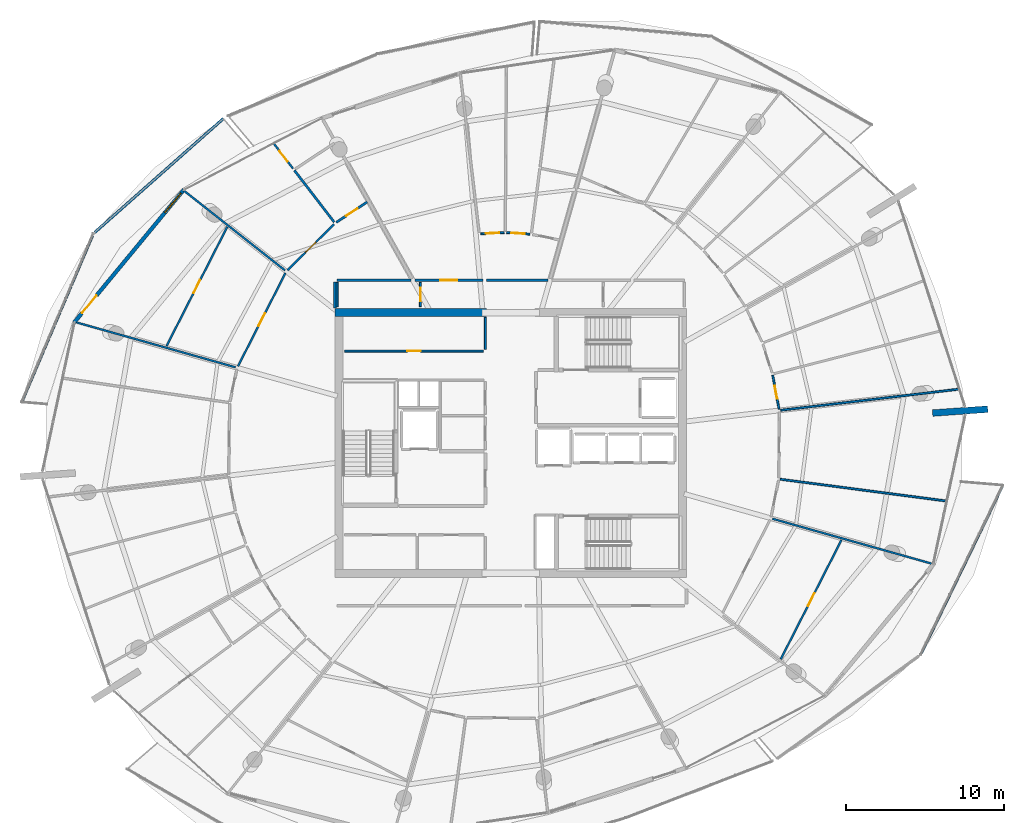
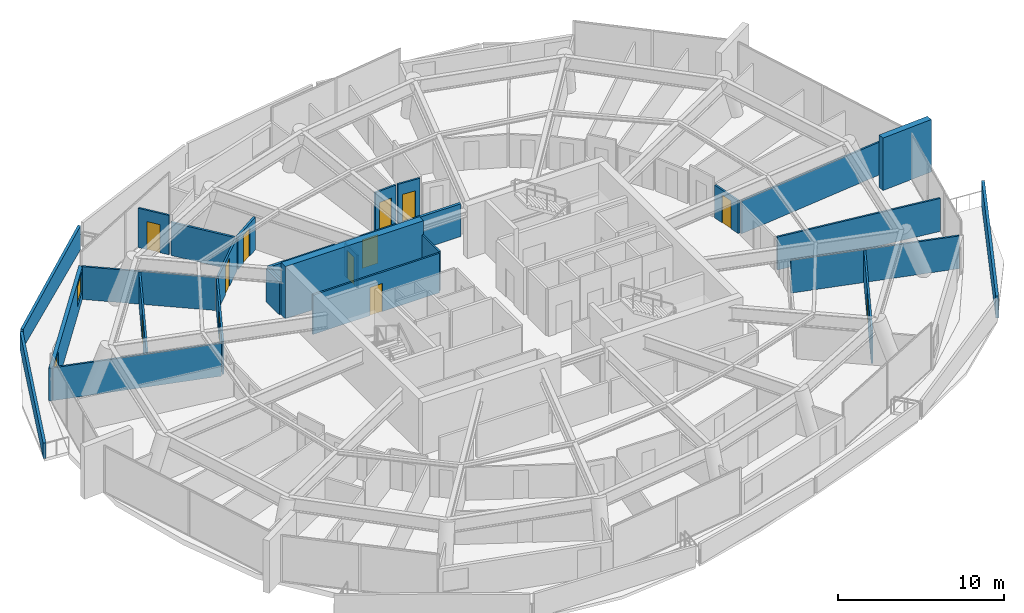
# One storey, part 19 of 27: 29 walls, 13 doors, 1 window, 14 openings.
"""IFC4 building model written with IfcOpenShell, lengths in metres."""

from ifc_helpers import new_model, si_unit, direction, frame, frame_2d, origin, place, context, subcontext, project, spatial, polyline, rectangle, outline, extrude, material, layer, layer_set, type_object, element, fill, save


model = new_model("IFC4")

# Units and contexts
model_context = context("Model", 3, precision=1e-05, world=origin(), true_north=direction((0.0, 1.0)))
body_context = subcontext(model_context, "Body", "Model", "MODEL_VIEW")
ifc_project = project(units=[si_unit("LENGTHUNIT", "METRE"), si_unit("AREAUNIT", "SQUARE_METRE"), si_unit("VOLUMEUNIT", "CUBIC_METRE"), si_unit("PLANEANGLEUNIT", "RADIAN"), si_unit("MASSUNIT", "GRAM", prefix="KILO")], contexts=[model_context])

# Site, building, storey
site_placement = place(None, origin())
site = spatial("IfcSite", under=ifc_project, at=site_placement, CompositionType="ELEMENT")
building_placement = place(site_placement, origin())
building = spatial("IfcBuilding", under=site, at=building_placement, Name="Kazma Halo Residences", CompositionType="ELEMENT")
storey_placement = place(building_placement, frame((0.0, 0.0, 306.0)))
storey = spatial("IfcBuildingStorey", under=building, at=storey_placement, Name="L77", CompositionType="ELEMENT", Elevation=306.0)

# Walls
ifc_material_1 = material(Name="White Concrete C50/60 Balustrade", Category="concrete")
ifc_layer_1 = layer(ifc_material_1, 0.179931640625)
ifc_layer_set_1 = layer_set([ifc_layer_1], Name="White Concrete C50/60 Balustrade")
wall_type_1 = type_object("IfcWallType", Name="WL-BAL-WAVE-180", PredefinedType="PARAPET", material=ifc_layer_set_1)
wall_1_placement = place(storey_placement, frame((30.241455078125, 62.537109375, 0.0), z_axis=(0.0, 0.0, 1.0), x_axis=(-0.748953310354, -0.662622772707, 0.0)))
element("IfcWall", 1, at=wall_1_placement, inside=storey, type_object=wall_type_1, Name="L77 white wave balustrade wall NW.1", PredefinedType="PARAPET", context=body_context, shape_type="SweptSolid", body=[
    extrude(outline(polyline([(0.0, 0.0), (10.882080078125, 0.0), (10.882080078125, 1.347900390625), (5.441162109375, 1.56201171875), (0.0, 1.7470703125), (0.0, 0.0)])), frame((0.0, 0.08984375, 0.0), z_axis=(0.0, -1.0, 0.0), x_axis=(1.0, 0.0, 0.0)), (0.0, 0.0, 1.0), 0.179931640625),
])
wall_2_placement = place(storey_placement, frame((21.954345703125, 55.13671875, 0.0), z_axis=(0.0, 0.0, 1.0), x_axis=(-0.391228155608, -0.920293719559, 0.0)))
element("IfcWall", 2, at=wall_2_placement, inside=storey, type_object=wall_type_1, Name="L77 white wave balustrade wall NW.2", PredefinedType="PARAPET", context=body_context, shape_type="SweptSolid", body=[
    extrude(outline(polyline([(0.0, 0.0), (11.459716796875, 0.0), (11.459716796875, 1.1201171875), (5.729736328125, 1.181884765625), (0.0, 1.347900390625), (0.0, 0.0)])), frame((0.0, 0.08984375, 0.0), z_axis=(0.0, -1.0, 0.0), x_axis=(1.0, 0.0, 0.0)), (0.0, 0.0, 1.0), 0.179931640625),
])
wall_3_placement = place(storey_placement, frame((74.40576171875, 28.680419921875, 0.0), z_axis=(0.0, 0.0, 1.0), x_axis=(0.436271986989, 0.899814843936, 0.0)))
element("IfcWall", 3, at=wall_3_placement, inside=storey, type_object=wall_type_1, Name="L77 white wave balustrade wall SE.2", PredefinedType="PARAPET", context=body_context, shape_type="SweptSolid", body=[
    extrude(outline(polyline([(0.0, 0.0), (11.826171875, 0.0), (11.826171875, 1.860107421875), (5.9130859375, 1.798095703125), (0.0, 1.632080078125), (0.0, 0.0)])), frame((0.0, 0.08984375, 0.0), z_axis=(0.0, -1.0, 0.0), x_axis=(1.0, 0.0, 0.0)), (0.0, 0.0, 1.0), 0.179931640625),
])
ifc_material_2 = material(Name="Pale Concrete C60/75", Category="concrete")
ifc_layer_2 = layer(ifc_material_2, 0.419921875)
ifc_layer_set_2 = layer_set([ifc_layer_2], Name="Pale Concrete C60/75")
wall_type_2 = type_object("IfcWallType", Name="WL-BLADE-420", PredefinedType="SOLIDWALL", material=ifc_layer_set_2)
wall_4_placement = place(storey_placement, frame((75.128173828125, 43.89697265625, 0.0), z_axis=(0.0, 0.0, 1.0), x_axis=(0.997564163539, 0.069754853754, 0.0)))
element("IfcWall", 4, at=wall_4_placement, inside=storey, type_object=wall_type_2, Name="L77 pale concrete structural blade fin wall BW-04", PredefinedType="SOLIDWALL", context=body_context, shape_type="SweptSolid", body=[
    extrude(rectangle(XDim=3.5, YDim=0.419921875, at=frame_2d((1.75, 0.0))), origin(), (0.0, 0.0, 1.0), 3.85009765625),
])
ifc_material_3 = material(Name="Concrete C60/75", Category="concrete")
ifc_layer_3 = layer(ifc_material_3, 0.5)
ifc_layer_set_3 = layer_set([ifc_layer_3], Name="Concrete C60/75")
wall_type_3 = type_object("IfcWallType", Name="WL-CORE-500", PredefinedType="SHEAR", material=ifc_layer_set_3)
wall_5_placement = place(storey_placement, frame((37.300048828125, 50.25, 0.0), z_axis=(0.0, 0.0, 1.0), x_axis=(1.0, 0.0, 0.0)))
element("IfcWall", 5, at=wall_5_placement, inside=storey, type_object=wall_type_3, Name="L77 central core shear wall NW", PredefinedType="SHEAR", context=body_context, shape_type="SweptSolid", body=[
    extrude(rectangle(XDim=9.599853515625, YDim=0.5, at=frame_2d((4.7998046875, 0.0))), origin(), (0.0, 0.0, 1.0), 3.85009765625),
])

# Wall, opening, door
ifc_material_4 = material(Name="Acoustic Twin-Stud Gypsum")
ifc_layer_4 = layer(ifc_material_4, 0.179931640625)
ifc_layer_set_4 = layer_set([ifc_layer_4], Name="Acoustic Twin-Stud Gypsum")
wall_type_4 = type_object("IfcWallType", Name="WL-DEM-180", PredefinedType="PARTITIONING", material=ifc_layer_set_4)
wall_6_placement = place(storey_placement, frame((46.660888671875, 52.300048828125, 0.0), z_axis=(0.0, 0.0, 1.0), x_axis=(-1.0, 0.0, 0.0)))
wall_6 = element("IfcWall", 6, at=wall_6_placement, inside=storey, type_object=wall_type_4, Name="L77 Apartment 1 entrance corridor wall", PredefinedType="PARTITIONING", context=body_context, shape_type="SweptSolid", body=[
    extrude(rectangle(XDim=4.30908203125, YDim=0.179931640625, at=frame_2d((2.154541015625, 0.0))), origin(), (0.0, 0.0, 1.0), 2.406982421875),
])
opening_1_placement = place(wall_6_placement, frame((1.6044921875, 0.0, 0.0)))
opening_1 = element("IfcOpeningElement", 7, at=opening_1_placement, cuts=wall_6, Name="Opening DA-1100", PredefinedType="OPENING", context=body_context, shape_type="SweptSolid", body=[
    extrude(rectangle(XDim=1.10009765625, YDim=2.10009765625, at=frame_2d((0.550048828125, 1.050048828125))), frame((0.0, 0.099853515625, 0.0), z_axis=(0.0, -1.0, 0.0), x_axis=(1.0, 0.0, 0.0)), (0.0, 0.0, 1.0), 0.199951171875),
])
ifc_material_5 = material(Name="Acoustic Walnut Fire Leaf")
door_type_1 = type_object("IfcDoorType", Name="DR-FD60-1100", OperationType="NOTDEFINED", PredefinedType="DOOR", material=ifc_material_5)
door_1_placement = place(opening_1_placement, origin())
door_1 = element("IfcDoor", 8, at=door_1_placement, inside=storey, type_object=door_type_1, Name="L77 Apartment 1 entrance fire door", OperationType="SINGLE_SWING_LEFT", OverallHeight=2.10009765625, OverallWidth=1.10009765625, PredefinedType="DOOR", context=body_context, shape_type="SweptSolid", body=[
    extrude(rectangle(XDim=1.10009765625, YDim=2.10009765625, at=frame_2d((0.550048828125, 1.050048828125))), frame((0.0, 0.02490234375, 0.0), z_axis=(0.0, -1.0, 0.0), x_axis=(1.0, 0.0, 0.0)), (0.0, 0.0, 1.0), 0.050048828125),
])
fill(opening_1, door_1)

# Walls
wall_7_placement = place(storey_placement, frame((50.784912109375, 52.300048828125, 0.0), z_axis=(0.0, 0.0, 1.0), x_axis=(-1.0, 0.0, 0.0)))
element("IfcWall", 9, at=wall_7_placement, inside=storey, type_object=wall_type_4, Name="L77 Apartment 1 inner wall 2", PredefinedType="PARTITIONING", context=body_context, shape_type="SweptSolid", body=[
    extrude(rectangle(XDim=3.884033203125, YDim=0.179931640625, at=frame_2d((1.94189453125, 0.0))), origin(), (0.0, 0.0, 1.0), 2.406982421875),
])
wall_8_placement = place(storey_placement, frame((42.11181640625, 52.300048828125, 0.0), z_axis=(0.0, 0.0, 1.0), x_axis=(-1.0, 0.0, 0.0)))
element("IfcWall", 10, at=wall_8_placement, inside=storey, type_object=wall_type_4, Name="L77 Apartment 2 inner wall 4", PredefinedType="PARTITIONING", context=body_context, shape_type="SweptSolid", body=[
    extrude(rectangle(XDim=4.69189453125, YDim=0.179931640625, at=frame_2d((2.345947265625, 0.0))), origin(), (0.0, 0.0, 1.0), 2.406982421875),
])
wall_9_placement = place(storey_placement, frame((37.300048828125, 52.179931640625, 0.0), z_axis=(0.0, 0.0, 1.0), x_axis=(0.0, -1.0, 0.0)))
element("IfcWall", 11, at=wall_9_placement, inside=storey, type_object=wall_type_4, Name="L77 Apartment 2 inner wall 4", PredefinedType="PARTITIONING", context=body_context, shape_type="SweptSolid", body=[
    extrude(rectangle(XDim=1.624755859375, YDim=0.179931640625, at=frame_2d((0.8125, 0.0))), origin(), (0.0, 0.0, 1.0), 2.406982421875),
])

# Wall, openings, door, window
ifc_material_6 = material(Name="Insulated Pale-Metal Composite Wall")
ifc_layer_5 = layer(ifc_material_6, 0.239990234375)
ifc_layer_set_5 = layer_set([ifc_layer_5], Name="Insulated Pale-Metal Composite Wall")
wall_type_5 = type_object("IfcWallType", Name="WL-EXT-HOST-240", PredefinedType="SOLIDWALL", material=ifc_layer_set_5)
wall_10_placement = place(storey_placement, frame((27.739501953125, 58.035888671875, 0.0), z_axis=(0.0, 0.0, 1.0), x_axis=(-0.636725835274, -0.771090274024, 0.0)))
wall_10 = element("IfcWall", 12, at=wall_10_placement, inside=storey, type_object=wall_type_5, Name="L77 exterior terrace-access wall B06", PredefinedType="SOLIDWALL", context=body_context, shape_type="SweptSolid", body=[
    extrude(rectangle(XDim=10.907470703125, YDim=0.239990234375, at=frame_2d((5.45361328125, 0.0))), origin(), (0.0, 0.0, 1.0), 2.39990234375),
])
opening_2_placement = place(wall_10_placement, frame((8.687255859375, 0.0, 0.0)))
opening_2 = element("IfcOpeningElement", 13, at=opening_2_placement, cuts=wall_10, Name="Opening DTR-1600", PredefinedType="OPENING", context=body_context, shape_type="SweptSolid", body=[
    extrude(rectangle(XDim=1.449951171875, YDim=2.14990234375, at=frame_2d((0.72509765625, 1.074951171875))), frame((0.0, 0.1298828125, 0.0), z_axis=(0.0, -1.0, 0.0), x_axis=(1.0, 0.0, 0.0)), (0.0, 0.0, 1.0), 0.260009765625),
])
opening_3_placement = place(wall_10_placement, frame((0.280029296875, 0.0, 0.64990234375)))
opening_3 = element("IfcOpeningElement", 14, at=opening_3_placement, cuts=wall_10, Name="Opening W-1800", PredefinedType="OPENING", context=body_context, shape_type="SweptSolid", body=[
    extrude(rectangle(XDim=1.60009765625, YDim=1.5, at=frame_2d((0.800048828125, 0.75))), frame((0.0, 0.1298828125, 0.0), z_axis=(0.0, -1.0, 0.0), x_axis=(1.0, 0.0, 0.0)), (0.0, 0.0, 1.0), 0.260009765625),
])
ifc_material_7 = material(Name="Aluminium AW-6063 T6 Double-Glazed Terrace Door", Category="aluminium")
door_type_2 = type_object("IfcDoorType", Name="DR-EXT-TERR-1600", OperationType="NOTDEFINED", PredefinedType="DOOR", material=ifc_material_7)
door_2_placement = place(opening_2_placement, origin())
door_2 = element("IfcDoor", 15, at=door_2_placement, inside=storey, type_object=door_type_2, Name="L77 B06 balcony terrace door", OperationType="DOUBLE_DOOR_SLIDING", OverallHeight=2.14990234375, OverallWidth=1.449951171875, PredefinedType="DOOR", context=body_context, shape_type="SweptSolid", body=[
    extrude(rectangle(XDim=1.449951171875, YDim=2.14990234375, at=frame_2d((0.72509765625, 1.074951171875))), frame((0.0, 0.02490234375, 0.0), z_axis=(0.0, -1.0, 0.0), x_axis=(1.0, 0.0, 0.0)), (0.0, 0.0, 1.0), 0.050048828125),
])
fill(opening_2, door_2)
ifc_material_8 = material(Name="Clear Triple-Silver Low-E Glass in Aluminium AW-6063 T6 Frame", Category="aluminium")
window_type = type_object("IfcWindowType", Name="WIN-RES-1800", PartitioningType="DOUBLE_PANEL_VERTICAL", PredefinedType="WINDOW", material=ifc_material_8)
window_placement = place(opening_3_placement, origin())
window = element("IfcWindow", 16, at=window_placement, inside=storey, type_object=window_type, Name="L77 B06 apartment window", OverallHeight=1.5, OverallWidth=1.60009765625, PartitioningType="SINGLE_PANEL", PredefinedType="WINDOW", context=body_context, shape_type="SweptSolid", body=[
    extrude(rectangle(XDim=1.60009765625, YDim=1.5, at=frame_2d((0.800048828125, 0.75))), frame((0.0, 0.030029296875, 0.0), z_axis=(0.0, -1.0, 0.0), x_axis=(1.0, 0.0, 0.0)), (0.0, 0.0, 1.0), 0.06005859375),
])
fill(opening_3, window)

# Wall
ifc_material_9 = material(Name="Gypsum Plasterboard Partition")
ifc_layer_6 = layer(ifc_material_9, 0.125)
ifc_layer_set_6 = layer_set([ifc_layer_6], Name="Gypsum Plasterboard Partition")
wall_type_6 = type_object("IfcWallType", Name="WL-PART-125", PredefinedType="PARTITIONING", material=ifc_layer_set_6)
wall_11_placement = place(storey_placement, frame((46.820068359375, 47.919921875, 0.0), z_axis=(0.0, 0.0, 1.0), x_axis=(0.0, 1.0, 0.0)))
element("IfcWall", 17, at=wall_11_placement, inside=storey, type_object=wall_type_6, Name="L77 reclaimed north east wall", PredefinedType="PARTITIONING", context=body_context, shape_type="SweptSolid", body=[
    extrude(rectangle(XDim=2.030029296875, YDim=0.125, at=frame_2d((1.01513671875, 0.0))), origin(), (0.0, 0.0, 1.0), 2.889892578125),
])

# Wall, opening, door
wall_12_placement = place(storey_placement, frame((37.919921875, 47.820068359375, 0.0), z_axis=(0.0, 0.0, 1.0), x_axis=(1.0, 0.0, 0.0)))
wall_12 = element("IfcWall", 18, at=wall_12_placement, inside=storey, type_object=wall_type_6, Name="L77 reclaimed north front wall", PredefinedType="PARTITIONING", context=body_context, shape_type="SweptSolid", body=[
    extrude(rectangle(XDim=8.780029296875, YDim=0.125, at=frame_2d((4.39013671875, 0.0))), origin(), (0.0, 0.0, 1.0), 2.889892578125),
])
opening_4_placement = place(wall_12_placement, frame((3.965087890625, 0.0, 0.0)))
opening_4 = element("IfcOpeningElement", 19, at=opening_4_placement, cuts=wall_12, Name="Opening DS-850", PredefinedType="OPENING", context=body_context, shape_type="SweptSolid", body=[
    extrude(rectangle(XDim=0.85009765625, YDim=2.06005859375, at=frame_2d((0.425048828125, 1.030029296875))), frame((0.0, 0.072509765625, 0.0), z_axis=(0.0, -1.0, 0.0), x_axis=(1.0, 0.0, 0.0)), (0.0, 0.0, 1.0), 0.14501953125),
])
ifc_material_10 = material(Name="Painted Steel Access Leaf", Category="steel")
door_type_3 = type_object("IfcDoorType", Name="DR-SVC-850", OperationType="NOTDEFINED", PredefinedType="DOOR", material=ifc_material_10)
door_3_placement = place(opening_4_placement, origin())
door_3 = element("IfcDoor", 20, at=door_3_placement, inside=storey, type_object=door_type_3, Name="L77 reclaimed north service door", OperationType="SINGLE_SWING_RIGHT", OverallHeight=2.06005859375, OverallWidth=0.85009765625, PredefinedType="DOOR", context=body_context, shape_type="SweptSolid", body=[
    extrude(rectangle(XDim=0.85009765625, YDim=2.06005859375, at=frame_2d((0.425048828125, 1.030029296875))), frame((0.0, 0.02490234375, 0.0), z_axis=(0.0, -1.0, 0.0), x_axis=(1.0, 0.0, 0.0)), (0.0, 0.0, 1.0), 0.050048828125),
])
fill(opening_4, door_3)

# Wall
wall_13_placement = place(storey_placement, frame((37.43994140625, 50.6201171875, 0.0), z_axis=(0.0, 0.0, 1.0), x_axis=(0.0, 1.0, 0.0)))
element("IfcWall", 21, at=wall_13_placement, inside=storey, type_object=wall_type_6, Name="L77 west linen end wall", PredefinedType="PARTITIONING", context=body_context, shape_type="SweptSolid", body=[
    extrude(rectangle(XDim=1.539794921875, YDim=0.125, at=frame_2d((0.77001953125, 0.0))), origin(), (0.0, 0.0, 1.0), 2.406982421875),
])

# Wall, opening, door
wall_14_placement = place(storey_placement, frame((42.7099609375, 50.639892578125, 0.0), z_axis=(0.0, 0.0, 1.0), x_axis=(0.0, 1.0, 0.0)))
wall_14 = element("IfcWall", 22, at=wall_14_placement, inside=storey, type_object=wall_type_6, Name="L77 floor linen store door wall", PredefinedType="PARTITIONING", context=body_context, shape_type="SweptSolid", body=[
    extrude(rectangle(XDim=1.52001953125, YDim=0.125, at=frame_2d((0.760009765625, 0.0))), origin(), (0.0, 0.0, 1.0), 2.406982421875),
])
opening_5_placement = place(wall_14_placement, frame((0.3349609375, 0.0, 0.0)))
opening_5 = element("IfcOpeningElement", 23, at=opening_5_placement, cuts=wall_14, Name="Opening DS-850", PredefinedType="OPENING", context=body_context, shape_type="SweptSolid", body=[
    extrude(rectangle(XDim=0.85009765625, YDim=2.06005859375, at=frame_2d((0.425048828125, 1.030029296875))), frame((0.0, 0.072509765625, 0.0), z_axis=(0.0, -1.0, 0.0), x_axis=(1.0, 0.0, 0.0)), (0.0, 0.0, 1.0), 0.14501953125),
])
door_4_placement = place(opening_5_placement, origin())
door_4 = element("IfcDoor", 24, at=door_4_placement, inside=storey, type_object=door_type_3, Name="L77 floor linen store door", OperationType="SINGLE_SWING_RIGHT", OverallHeight=2.06005859375, OverallWidth=0.85009765625, PredefinedType="DOOR", context=body_context, shape_type="SweptSolid", body=[
    extrude(rectangle(XDim=0.85009765625, YDim=2.06005859375, at=frame_2d((0.425048828125, 1.030029296875))), frame((0.0, 0.02490234375, 0.0), z_axis=(0.0, -1.0, 0.0), x_axis=(1.0, 0.0, 0.0)), (0.0, 0.0, 1.0), 0.050048828125),
])
fill(opening_5, door_4)

wall_15_placement = place(storey_placement, frame((49.637451171875, 55.21875, 0.0), z_axis=(0.0, 0.0, 1.0), x_axis=(-0.997687761927, 0.067964179549, 0.0)))
wall_15 = element("IfcWall", 25, at=wall_15_placement, inside=storey, type_object=wall_type_6, Name="L77 Apartment 1 Gourmet Kitchen hall wall", PredefinedType="PARTITIONING", context=body_context, shape_type="SweptSolid", body=[
    extrude(rectangle(XDim=1.47998046875, YDim=0.125, at=frame_2d((0.739990234375, 0.0))), origin(), (0.0, 0.0, 1.0), 2.889892578125),
])
opening_6_placement = place(wall_15_placement, frame((0.31494140625, 0.0, 0.0)))
opening_6 = element("IfcOpeningElement", 26, at=opening_6_placement, cuts=wall_15, Name="Opening DB-900", PredefinedType="OPENING", context=body_context, shape_type="SweptSolid", body=[
    extrude(rectangle(XDim=0.85009765625, YDim=2.06005859375, at=frame_2d((0.425048828125, 1.030029296875))), frame((0.0, 0.072509765625, 0.0), z_axis=(0.0, -1.0, 0.0), x_axis=(1.0, 0.0, 0.0)), (0.0, 0.0, 1.0), 0.14501953125),
])
ifc_material_11 = material(Name="Moisture-Sealed Timber Leaf", Category="wood")
door_type_4 = type_object("IfcDoorType", Name="DR-BTH-900", OperationType="NOTDEFINED", PredefinedType="DOOR", material=ifc_material_11)
door_5_placement = place(opening_6_placement, origin())
door_5 = element("IfcDoor", 27, at=door_5_placement, inside=storey, type_object=door_type_4, Name="L77 Apartment 1 Gourmet Kitchen door", OperationType="SINGLE_SWING_RIGHT", OverallHeight=2.06005859375, OverallWidth=0.85009765625, PredefinedType="DOOR", context=body_context, shape_type="SweptSolid", body=[
    extrude(rectangle(XDim=0.85009765625, YDim=2.06005859375, at=frame_2d((0.425048828125, 1.030029296875))), frame((0.0, 0.02490234375, 0.0), z_axis=(0.0, -1.0, 0.0), x_axis=(1.0, 0.0, 0.0)), (0.0, 0.0, 1.0), 0.050048828125),
])
fill(opening_6, door_5)

wall_16_placement = place(storey_placement, frame((48.001220703125, 55.3203125, 0.0), z_axis=(0.0, 0.0, 1.0), x_axis=(-0.998441385069, -0.0558103985, 0.0)))
wall_16 = element("IfcWall", 28, at=wall_16_placement, inside=storey, type_object=wall_type_6, Name="L77 Apartment 1 Primary Bedroom hall wall", PredefinedType="PARTITIONING", context=body_context, shape_type="SweptSolid", body=[
    extrude(rectangle(XDim=1.4697265625, YDim=0.125, at=frame_2d((0.73486328125, 0.0))), origin(), (0.0, 0.0, 1.0), 2.889892578125),
])
opening_7_placement = place(wall_16_placement, frame((0.309814453125, 0.0, 0.0)))
opening_7 = element("IfcOpeningElement", 29, at=opening_7_placement, cuts=wall_16, Name="Opening DB-900", PredefinedType="OPENING", context=body_context, shape_type="SweptSolid", body=[
    extrude(rectangle(XDim=0.85009765625, YDim=2.06005859375, at=frame_2d((0.425048828125, 1.030029296875))), frame((0.0, 0.072509765625, 0.0), z_axis=(0.0, -1.0, 0.0), x_axis=(1.0, 0.0, 0.0)), (0.0, 0.0, 1.0), 0.14501953125),
])
door_6_placement = place(opening_7_placement, origin())
door_6 = element("IfcDoor", 30, at=door_6_placement, inside=storey, type_object=door_type_4, Name="L77 Apartment 1 Primary Bedroom door", OperationType="SINGLE_SWING_LEFT", OverallHeight=2.06005859375, OverallWidth=0.85009765625, PredefinedType="DOOR", context=body_context, shape_type="SweptSolid", body=[
    extrude(rectangle(XDim=0.85009765625, YDim=2.06005859375, at=frame_2d((0.425048828125, 1.030029296875))), frame((0.0, 0.02490234375, 0.0), z_axis=(0.0, -1.0, 0.0), x_axis=(1.0, 0.0, 0.0)), (0.0, 0.0, 1.0), 0.050048828125),
])
fill(opening_7, door_6)

wall_17_placement = place(storey_placement, frame((34.652099609375, 59.3623046875, 0.0), z_axis=(0.0, 0.0, 1.0), x_axis=(-0.609450605146, 0.792824040937, 0.0)))
wall_17 = element("IfcWall", 31, at=wall_17_placement, inside=storey, type_object=wall_type_6, Name="L77 Apartment 2 Household Store Room partition wall", PredefinedType="PARTITIONING", context=body_context, shape_type="SweptSolid", body=[
    extrude(rectangle(XDim=1.995849609375, YDim=0.125, at=frame_2d((0.998046875, 0.0))), origin(), (0.0, 0.0, 1.0), 2.889892578125),
])
opening_8_placement = place(wall_17_placement, frame((0.572998046875, 0.0, 0.0)))
opening_8 = element("IfcOpeningElement", 32, at=opening_8_placement, cuts=wall_17, Name="Opening DB-900", PredefinedType="OPENING", context=body_context, shape_type="SweptSolid", body=[
    extrude(rectangle(XDim=0.85009765625, YDim=2.06005859375, at=frame_2d((0.425048828125, 1.030029296875))), frame((0.0, 0.072509765625, 0.0), z_axis=(0.0, -1.0, 0.0), x_axis=(1.0, 0.0, 0.0)), (0.0, 0.0, 1.0), 0.14501953125),
])
door_7_placement = place(opening_8_placement, origin())
door_7 = element("IfcDoor", 33, at=door_7_placement, inside=storey, type_object=door_type_4, Name="L77 Apartment 2 Household Store Room door", OperationType="SINGLE_SWING_LEFT", OverallHeight=2.06005859375, OverallWidth=0.85009765625, PredefinedType="DOOR", context=body_context, shape_type="SweptSolid", body=[
    extrude(rectangle(XDim=0.85009765625, YDim=2.06005859375, at=frame_2d((0.425048828125, 1.030029296875))), frame((0.0, 0.02490234375, 0.0), z_axis=(0.0, -1.0, 0.0), x_axis=(1.0, 0.0, 0.0)), (0.0, 0.0, 1.0), 0.050048828125),
])
fill(opening_8, door_7)

wall_18_placement = place(storey_placement, frame((37.241943359375, 55.84716796875, 0.0), z_axis=(0.0, 0.0, 1.0), x_axis=(-0.711391624602, -0.702795814192, 0.0)))
wall_18 = element("IfcWall", 34, at=wall_18_placement, inside=storey, type_object=wall_type_6, Name="L77 Apartment 2 Gourmet Kitchen hall wall", PredefinedType="PARTITIONING", context=body_context, shape_type="SweptSolid", body=[
    extrude(rectangle(XDim=4.146728515625, YDim=0.125, at=frame_2d((2.0732421875, 0.0))), origin(), (0.0, 0.0, 1.0), 2.406982421875),
])
opening_9_placement = place(wall_18_placement, frame((1.623291015625, 0.0, 0.0)))
opening_9 = element("IfcOpeningElement", 35, at=opening_9_placement, cuts=wall_18, Name="Opening DI-950", PredefinedType="OPENING", context=body_context, shape_type="SweptSolid", body=[
    extrude(rectangle(XDim=0.89990234375, YDim=2.080078125, at=frame_2d((0.449951171875, 1.0400390625))), frame((0.0, 0.072509765625, 0.0), z_axis=(0.0, -1.0, 0.0), x_axis=(1.0, 0.0, 0.0)), (0.0, 0.0, 1.0), 0.14501953125),
])
ifc_material_12 = material(Name="Timber Veneer Flush Leaf", Category="wood")
door_type_5 = type_object("IfcDoorType", Name="DR-INT-950", OperationType="NOTDEFINED", PredefinedType="DOOR", material=ifc_material_12)
door_8_placement = place(opening_9_placement, origin())
door_8 = element("IfcDoor", 36, at=door_8_placement, inside=storey, type_object=door_type_5, Name="L77 Apartment 2 Gourmet Kitchen door", OperationType="SINGLE_SWING_RIGHT", OverallHeight=2.080078125, OverallWidth=0.89990234375, PredefinedType="DOOR", context=body_context, shape_type="SweptSolid", body=[
    extrude(rectangle(XDim=0.89990234375, YDim=2.080078125, at=frame_2d((0.449951171875, 1.0400390625))), frame((0.0, 0.02490234375, 0.0), z_axis=(0.0, -1.0, 0.0), x_axis=(1.0, 0.0, 0.0)), (0.0, 0.0, 1.0), 0.050048828125),
])
fill(opening_9, door_8)

# Wall
wall_19_placement = place(storey_placement, frame((34.142333984375, 52.924560546875, 0.0), z_axis=(0.0, 0.0, 1.0), x_axis=(-0.785321699218, 0.619087900655, 0.0)))
element("IfcWall", 37, at=wall_19_placement, inside=storey, type_object=wall_type_6, Name="L77 Apartment 2 radial partition 5", PredefinedType="PARTITIONING", context=body_context, shape_type="SweptSolid", body=[
    extrude(rectangle(XDim=8.168701171875, YDim=0.125, at=frame_2d((4.08447265625, 0.0))), origin(), (0.0, 0.0, 1.0), 2.406982421875),
])

# Wall, opening, door
wall_20_placement = place(storey_placement, frame((34.1708984375, 52.7646484375, 0.0), z_axis=(0.0, 0.0, 1.0), x_axis=(-0.453994771894, -0.891004347404, 0.0)))
wall_20 = element("IfcWall", 38, at=wall_20_placement, inside=storey, type_object=wall_type_6, Name="L77 Apartment 2 East Study hall wall", PredefinedType="PARTITIONING", context=body_context, shape_type="SweptSolid", body=[
    extrude(rectangle(XDim=6.626220703125, YDim=0.125, at=frame_2d((3.31298828125, 0.0))), origin(), (0.0, 0.0, 1.0), 2.406982421875),
])
opening_10_placement = place(wall_20_placement, frame((2.863037109375, 0.0, 0.0)))
opening_10 = element("IfcOpeningElement", 39, at=opening_10_placement, cuts=wall_20, Name="Opening DI-950", PredefinedType="OPENING", context=body_context, shape_type="SweptSolid", body=[
    extrude(rectangle(XDim=0.89990234375, YDim=2.080078125, at=frame_2d((0.449951171875, 1.0400390625))), frame((0.0, 0.072509765625, 0.0), z_axis=(0.0, -1.0, 0.0), x_axis=(1.0, 0.0, 0.0)), (0.0, 0.0, 1.0), 0.14501953125),
])
door_9_placement = place(opening_10_placement, origin())
door_9 = element("IfcDoor", 40, at=door_9_placement, inside=storey, type_object=door_type_5, Name="L77 Apartment 2 East Study door", OperationType="SINGLE_SWING_LEFT", OverallHeight=2.080078125, OverallWidth=0.89990234375, PredefinedType="DOOR", context=body_context, shape_type="SweptSolid", body=[
    extrude(rectangle(XDim=0.89990234375, YDim=2.080078125, at=frame_2d((0.449951171875, 1.0400390625))), frame((0.0, 0.02490234375, 0.0), z_axis=(0.0, -1.0, 0.0), x_axis=(1.0, 0.0, 0.0)), (0.0, 0.0, 1.0), 0.050048828125),
])
fill(opening_10, door_9)

wall_21_placement = place(storey_placement, frame((30.47998046875, 55.67431640625, 0.0), z_axis=(0.0, 0.0, 1.0), x_axis=(-0.453999703912, -0.891001834368, 0.0)))
wall_21 = element("IfcWall", 41, at=wall_21_placement, inside=storey, type_object=wall_type_6, Name="L77 Apartment 2 West Master Bedroom divider wall", PredefinedType="PARTITIONING", context=body_context, shape_type="SweptSolid", body=[
    extrude(rectangle(XDim=8.4599609375, YDim=0.125, at=frame_2d((4.22998046875, 0.0))), origin(), (0.0, 0.0, 1.0), 2.406982421875),
])
opening_11_placement = place(wall_21_placement, frame((3.780029296875, 0.0, 0.0)))
opening_11 = element("IfcOpeningElement", 42, at=opening_11_placement, cuts=wall_21, Name="Opening DI-950", PredefinedType="OPENING", context=body_context, shape_type="SweptSolid", body=[
    extrude(rectangle(XDim=0.89990234375, YDim=2.080078125, at=frame_2d((0.449951171875, 1.0400390625))), frame((0.0, 0.072509765625, 0.0), z_axis=(0.0, -1.0, 0.0), x_axis=(1.0, 0.0, 0.0)), (0.0, 0.0, 1.0), 0.14501953125),
])
door_10_placement = place(opening_11_placement, origin())
door_10 = element("IfcDoor", 43, at=door_10_placement, inside=storey, type_object=door_type_5, Name="L77 Apartment 2 West Master Bedroom door", OperationType="SINGLE_SWING_RIGHT", OverallHeight=2.080078125, OverallWidth=0.89990234375, PredefinedType="DOOR", context=body_context, shape_type="SweptSolid", body=[
    extrude(rectangle(XDim=0.89990234375, YDim=2.080078125, at=frame_2d((0.449951171875, 1.0400390625))), frame((0.0, 0.02490234375, 0.0), z_axis=(0.0, -1.0, 0.0), x_axis=(1.0, 0.0, 0.0)), (0.0, 0.0, 1.0), 0.050048828125),
])
fill(opening_11, door_10)

# Wall
wall_22_placement = place(storey_placement, frame((31.0166015625, 46.789794921875, 0.0), z_axis=(0.0, 0.0, 1.0), x_axis=(-0.962454365365, 0.271443538495, 0.0)))
element("IfcWall", 44, at=wall_22_placement, inside=storey, type_object=wall_type_6, Name="L77 Apartment 2 radial partition 6", PredefinedType="PARTITIONING", context=body_context, shape_type="SweptSolid", body=[
    extrude(rectangle(XDim=10.462890625, YDim=0.125, at=frame_2d((5.2314453125, 0.0))), origin(), (0.0, 0.0, 1.0), 2.406982421875),
])

# Wall, opening, door
wall_23_placement = place(storey_placement, frame((65.52001953125, 28.32568359375, 0.0), z_axis=(0.0, 0.0, 1.0), x_axis=(0.453999703912, 0.891001834368, 0.0)))
wall_23 = element("IfcWall", 45, at=wall_23_placement, inside=storey, type_object=wall_type_6, Name="L77 Apartment 2 Sky Master Bedroom divider wall", PredefinedType="PARTITIONING", context=body_context, shape_type="SweptSolid", body=[
    extrude(rectangle(XDim=8.4599609375, YDim=0.125, at=frame_2d((4.22998046875, 0.0))), origin(), (0.0, 0.0, 1.0), 2.406982421875),
])
opening_12_placement = place(wall_23_placement, frame((3.780029296875, 0.0, 0.0)))
opening_12 = element("IfcOpeningElement", 46, at=opening_12_placement, cuts=wall_23, Name="Opening DI-950", PredefinedType="OPENING", context=body_context, shape_type="SweptSolid", body=[
    extrude(rectangle(XDim=0.89990234375, YDim=2.080078125, at=frame_2d((0.449951171875, 1.0400390625))), frame((0.0, 0.072509765625, 0.0), z_axis=(0.0, -1.0, 0.0), x_axis=(1.0, 0.0, 0.0)), (0.0, 0.0, 1.0), 0.14501953125),
])
door_11_placement = place(opening_12_placement, origin())
door_11 = element("IfcDoor", 47, at=door_11_placement, inside=storey, type_object=door_type_5, Name="L77 Apartment 2 Sky Master Bedroom door", OperationType="SINGLE_SWING_RIGHT", OverallHeight=2.080078125, OverallWidth=0.89990234375, PredefinedType="DOOR", context=body_context, shape_type="SweptSolid", body=[
    extrude(rectangle(XDim=0.89990234375, YDim=2.080078125, at=frame_2d((0.449951171875, 1.0400390625))), frame((0.0, 0.02490234375, 0.0), z_axis=(0.0, -1.0, 0.0), x_axis=(1.0, 0.0, 0.0)), (0.0, 0.0, 1.0), 0.050048828125),
])
fill(opening_12, door_11)

# Walls
wall_24_placement = place(storey_placement, frame((64.9833984375, 37.210205078125, 0.0), z_axis=(0.0, 0.0, 1.0), x_axis=(0.962454365365, -0.271443538495, 0.0)))
element("IfcWall", 48, at=wall_24_placement, inside=storey, type_object=wall_type_6, Name="L77 Apartment 2 radial partition 14", PredefinedType="PARTITIONING", context=body_context, shape_type="SweptSolid", body=[
    extrude(rectangle(XDim=10.462890625, YDim=0.125, at=frame_2d((5.2314453125, 0.0))), origin(), (0.0, 0.0, 1.0), 2.406982421875),
])
wall_25_placement = place(storey_placement, frame((65.486328125, 39.707275390625, 0.0), z_axis=(0.0, 0.0, 1.0), x_axis=(0.991512400403, -0.130012152686, 0.0)))
element("IfcWall", 49, at=wall_25_placement, inside=storey, type_object=wall_type_6, Name="L77 Apartment 2 mid-bay wall 14", PredefinedType="PARTITIONING", context=body_context, shape_type="SweptSolid", body=[
    extrude(rectangle(XDim=10.60791015625, YDim=0.125, at=frame_2d((5.303955078125, 0.0))), origin(), (0.0, 0.0, 1.0), 2.425048828125),
])
wall_26_placement = place(storey_placement, frame((65.523681640625, 44.07421875, 0.0), z_axis=(0.0, 0.0, 1.0), x_axis=(0.993068783977, 0.117534634433, 0.0)))
element("IfcWall", 50, at=wall_26_placement, inside=storey, type_object=wall_type_6, Name="L77 Apartment 2 radial partition 15", PredefinedType="PARTITIONING", context=body_context, shape_type="SweptSolid", body=[
    extrude(rectangle(XDim=11.35791015625, YDim=0.125, at=frame_2d((5.678955078125, 0.0))), origin(), (0.0, 0.0, 1.0), 2.406982421875),
])

# Wall, opening, door
wall_27_placement = place(storey_placement, frame((65.40966796875, 44.140869140625, 0.0), z_axis=(0.0, 0.0, 1.0), x_axis=(-0.183463941639, 0.983026440193, 0.0)))
wall_27 = element("IfcWall", 51, at=wall_27_placement, inside=storey, type_object=wall_type_6, Name="L77 Apartment 2 West Bedroom hall wall", PredefinedType="PARTITIONING", context=body_context, shape_type="SweptSolid", body=[
    extrude(rectangle(XDim=2.18115234375, YDim=0.125, at=frame_2d((1.090576171875, 0.0))), origin(), (0.0, 0.0, 1.0), 2.406982421875),
])
opening_13_placement = place(wall_27_placement, frame((0.66552734375, 0.0, 0.0)))
opening_13 = element("IfcOpeningElement", 52, at=opening_13_placement, cuts=wall_27, Name="Opening DB-900", PredefinedType="OPENING", context=body_context, shape_type="SweptSolid", body=[
    extrude(rectangle(XDim=0.85009765625, YDim=2.06005859375, at=frame_2d((0.425048828125, 1.030029296875))), frame((0.0, 0.072509765625, 0.0), z_axis=(0.0, -1.0, 0.0), x_axis=(1.0, 0.0, 0.0)), (0.0, 0.0, 1.0), 0.14501953125),
])
door_12_placement = place(opening_13_placement, origin())
door_12 = element("IfcDoor", 53, at=door_12_placement, inside=storey, type_object=door_type_4, Name="L77 Apartment 2 West Bedroom door", OperationType="SINGLE_SWING_RIGHT", OverallHeight=2.06005859375, OverallWidth=0.85009765625, PredefinedType="DOOR", context=body_context, shape_type="SweptSolid", body=[
    extrude(rectangle(XDim=0.85009765625, YDim=2.06005859375, at=frame_2d((0.425048828125, 1.030029296875))), frame((0.0, 0.02490234375, 0.0), z_axis=(0.0, -1.0, 0.0), x_axis=(1.0, 0.0, 0.0)), (0.0, 0.0, 1.0), 0.050048828125),
])
fill(opening_13, door_12)

ifc_material_13 = material(Name="Moisture-Resistant Gypsum")
ifc_layer_7 = layer(ifc_material_13, 0.14990234375)
ifc_layer_set_7 = layer_set([ifc_layer_7], Name="Moisture-Resistant Gypsum")
wall_type_7 = type_object("IfcWallType", Name="WL-WET-150", PredefinedType="PARTITIONING", material=ifc_layer_set_7)
wall_28_placement = place(storey_placement, frame((39.34326171875, 57.25390625, 0.0), z_axis=(0.0, 0.0, 1.0), x_axis=(-0.834820417885, -0.550522360929, 0.0)))
wall_28 = element("IfcWall", 54, at=wall_28_placement, inside=storey, type_object=wall_type_7, Name="L77 Apartment 2 Guest Bathroom hall wall", PredefinedType="PARTITIONING", context=body_context, shape_type="SweptSolid", body=[
    extrude(rectangle(XDim=2.350341796875, YDim=0.14990234375, at=frame_2d((1.17529296875, 0.0))), origin(), (0.0, 0.0, 1.0), 2.406982421875),
])
opening_14_placement = place(wall_28_placement, frame((0.750244140625, 0.0, 0.0)))
opening_14 = element("IfcOpeningElement", 55, at=opening_14_placement, cuts=wall_28, Name="Opening DB-900", PredefinedType="OPENING", context=body_context, shape_type="SweptSolid", body=[
    extrude(rectangle(XDim=0.85009765625, YDim=2.06005859375, at=frame_2d((0.425048828125, 1.030029296875))), frame((0.0, 0.0849609375, 0.0), z_axis=(0.0, -1.0, 0.0), x_axis=(1.0, 0.0, 0.0)), (0.0, 0.0, 1.0), 0.169921875),
])
door_13_placement = place(opening_14_placement, origin())
door_13 = element("IfcDoor", 56, at=door_13_placement, inside=storey, type_object=door_type_4, Name="L77 Apartment 2 Guest Bathroom door", OperationType="SINGLE_SWING_RIGHT", OverallHeight=2.06005859375, OverallWidth=0.85009765625, PredefinedType="DOOR", context=body_context, shape_type="SweptSolid", body=[
    extrude(rectangle(XDim=0.85009765625, YDim=2.06005859375, at=frame_2d((0.425048828125, 1.030029296875))), frame((0.0, 0.02490234375, 0.0), z_axis=(0.0, -1.0, 0.0), x_axis=(1.0, 0.0, 0.0)), (0.0, 0.0, 1.0), 0.050048828125),
])
fill(opening_14, door_13)

# Wall
wall_29_placement = place(storey_placement, frame((37.2509765625, 55.981689453125, 0.0), z_axis=(0.0, 0.0, 1.0), x_axis=(-0.609453869873, 0.792821531303, 0.0)))
element("IfcWall", 57, at=wall_29_placement, inside=storey, type_object=wall_type_7, Name="L77 Apartment 2 Guest Bathroom side wall", PredefinedType="PARTITIONING", context=body_context, shape_type="SweptSolid", body=[
    extrude(rectangle(XDim=4.134033203125, YDim=0.14990234375, at=frame_2d((2.06689453125, 0.0))), origin(), (0.0, 0.0, 1.0), 2.425048828125),
])

save(model, "model.ifc")
